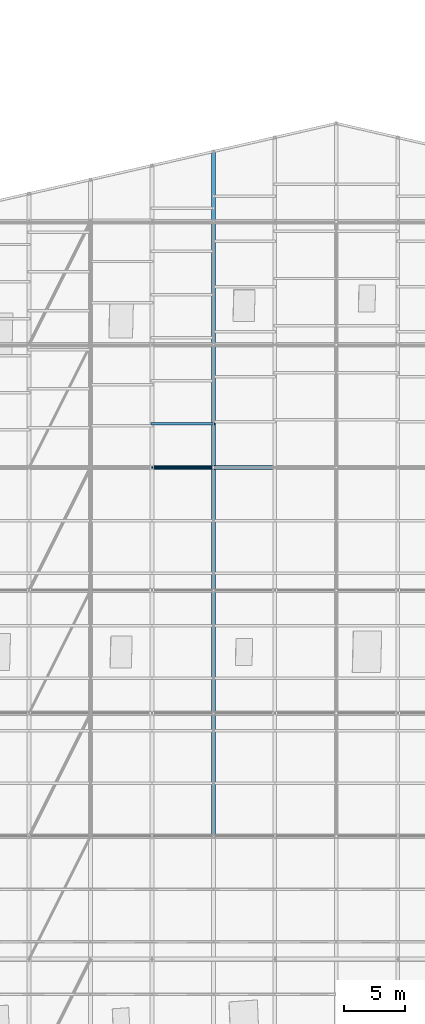
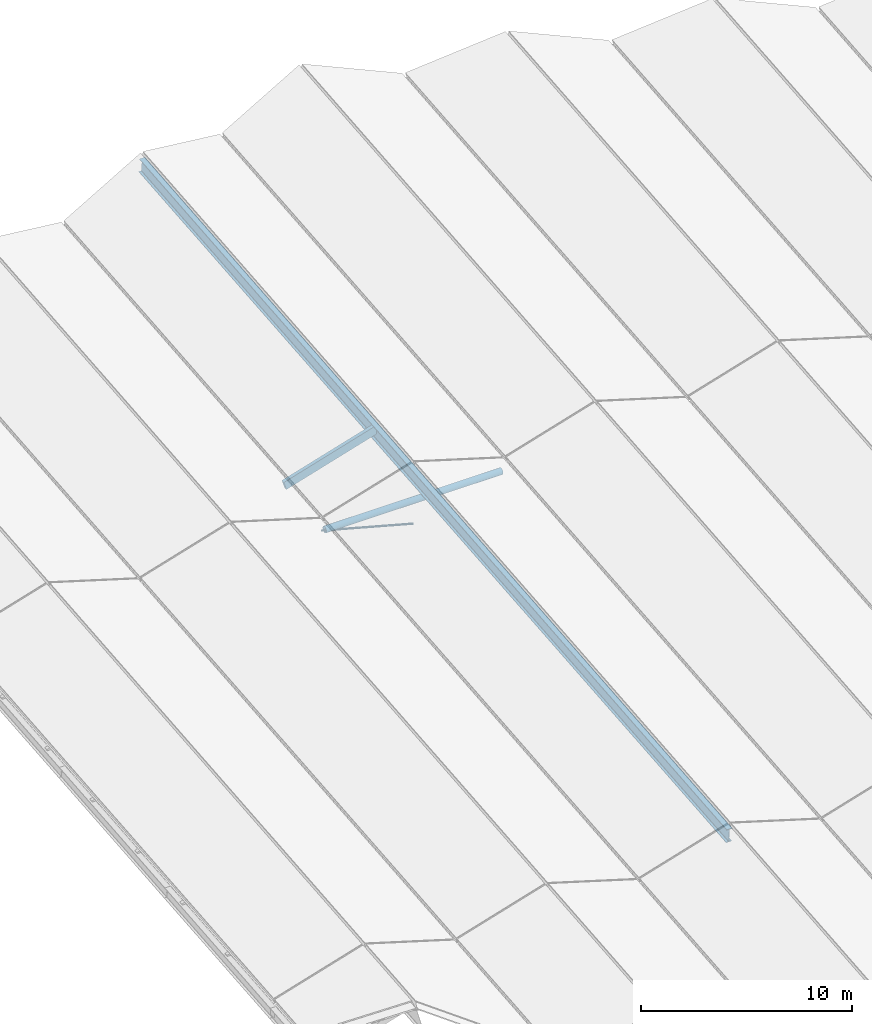
# One storey, part 28 of 90: 2 beams, 2 members.
"""IFC4 building model written with IfcOpenShell, lengths in metres."""

from ifc_helpers import new_model, si_unit, direction, frame, origin, origin_2d, place, context, subcontext, project, spatial, rectangle, circle, hollow_circle, i_section, extrude, material, material_profile, profile_set, type_object, element, save


model = new_model("IFC4")

# Units and contexts
model_context = context("Model", 3, precision=1e-05, world=origin(), true_north=direction((0.0, 1.0)))
body_context = subcontext(model_context, "Body", "Model", "MODEL_VIEW")
ifc_project = project(units=[si_unit("LENGTHUNIT", "METRE"), si_unit("AREAUNIT", "SQUARE_METRE"), si_unit("VOLUMEUNIT", "CUBIC_METRE"), si_unit("PLANEANGLEUNIT", "RADIAN"), si_unit("MASSUNIT", "GRAM", prefix="KILO"), si_unit("THERMODYNAMICTEMPERATUREUNIT", "KELVIN"), si_unit("POWERUNIT", "WATT")], contexts=[model_context])

# Site, building, storey
site_placement = place(None, origin())
site = spatial("IfcSite", under=ifc_project, at=site_placement, CompositionType="ELEMENT")
building_placement = place(site_placement, origin())
building = spatial("IfcBuilding", under=site, at=building_placement, Name="Korenveer Ferry Terminal", CompositionType="ELEMENT")
storey_placement = place(building_placement, frame((0.0, 0.0, 22.199951171875)))
storey = spatial("IfcBuildingStorey", under=building, at=storey_placement, Name="RF", CompositionType="ELEMENT", Elevation=22.199951171875)

# Beam
ifc_material_1 = material(Name="Steel S355", Category="steel")
ifc_material_profile_1 = material_profile(ifc_material_1, i_section(OverallWidth=0.300048828125, OverallDepth=0.800048828125, WebThickness=0.017578125, FlangeThickness=0.032958984375, FilletRadius=0.030029296875, at=origin_2d()), Name="HEB 800")
ifc_profile_set_1 = profile_set([ifc_material_profile_1], Name="Steel S355")
beam_type_1 = type_object("IfcBeamType", Name="STR-BM-HEB800", PredefinedType="BEAM", material=ifc_profile_set_1)
beam_1_placement = place(storey_placement, frame((78.0, 50.0, -7.16796875), z_axis=(0.0, 0.995903037593, 0.090427538461), x_axis=(-1.0, 0.0, 0.0)))
element("IfcBeam", 1, at=beam_1_placement, inside=storey, type_object=beam_type_1, Name="Folded roof ridge girder 6", PredefinedType="BEAM", context=body_context, shape_type="SweptSolid", body=[
    extrude(i_section(OverallWidth=0.300048828125, OverallDepth=0.800048828125, WebThickness=0.017578125, FlangeThickness=0.032958984375, FilletRadius=0.030029296875, at=origin_2d()), origin(), (0.0, 0.0, 1.0), 55.943603515625),
])

# Members
ifc_material_2 = material(Name="High-strength steel S460", Category="steel")
ifc_material_profile_2 = material_profile(ifc_material_2, circle(Radius=0.044921875, at=origin_2d()), Name="ROD D90")
ifc_profile_set_2 = profile_set([ifc_material_profile_2], Name="High-strength steel S460")
member_type_1 = type_object("IfcMemberType", Name="STR-CBL-D90", PredefinedType="USERDEFINED", material=ifc_profile_set_2)
member_1_placement = place(storey_placement, frame((73.0, 80.0, -5.95361328125), z_axis=(0.965424337217, 0.0, -0.260683426993), x_axis=(0.0, 1.0, 0.0)))
element("IfcMember", 2, at=member_1_placement, inside=storey, type_object=member_type_1, Name="Roof tension tie cable 61", ObjectType="CABLE", PredefinedType="USERDEFINED", context=body_context, shape_type="SweptSolid", body=[
    extrude(circle(Radius=0.044921875, at=origin_2d()), origin(), (0.0, 0.0, 1.0), 5.178955078125),
])
ifc_material_3 = material(Name="Glulam GL28h", Category="wood")
ifc_material_profile_3 = material_profile(ifc_material_3, rectangle(XDim=0.199951171875, YDim=0.47998046875, at=origin_2d()), Name="GL 200x480")
ifc_profile_set_3 = profile_set([ifc_material_profile_3], Name="Glulam GL28h")
member_type_2 = type_object("IfcMemberType", Name="STR-PUR-GL200", PredefinedType="PURLIN", material=ifc_profile_set_3)
member_2_placement = place(storey_placement, frame((73.0, 83.5556640625, -5.472412109375), z_axis=(0.957310140112, 0.0, 0.289062788401), x_axis=(0.0, 1.0, 0.0)))
element("IfcMember", 3, at=member_2_placement, inside=storey, type_object=member_type_2, Name="Folded roof glulam purlin 97", PredefinedType="PURLIN", context=body_context, shape_type="SweptSolid", body=[
    extrude(rectangle(XDim=0.199951171875, YDim=0.47998046875, at=origin_2d()), origin(), (0.0, 0.0, 1.0), 5.222900390625),
])

# Beam
ifc_material_profile_4 = material_profile(ifc_material_1, hollow_circle(Radius=0.177734375, WallThickness=0.01611328125, at=origin_2d()), Name="CHS 355.6x16")
ifc_profile_set_4 = profile_set([ifc_material_profile_4], Name="Steel S355")
beam_type_2 = type_object("IfcBeamType", Name="STR-RFG-CHS355", PredefinedType="USERDEFINED", material=ifc_profile_set_4)
beam_2_placement = place(storey_placement, frame((73.159912109375, 80.0, -5.95361328125), z_axis=(1.0, 0.0, 0.0), x_axis=(0.0, 1.0, 0.0)))
element("IfcBeam", 4, at=beam_2_placement, inside=storey, type_object=beam_type_2, Name="Roof transverse tie girder 119", ObjectType="ROOF GIRDER", PredefinedType="USERDEFINED", context=body_context, shape_type="SweptSolid", body=[
    extrude(hollow_circle(Radius=0.177734375, WallThickness=0.01611328125, at=origin_2d()), origin(), (0.0, 0.0, 1.0), 9.68017578125),
])

save(model, "model.ifc")
